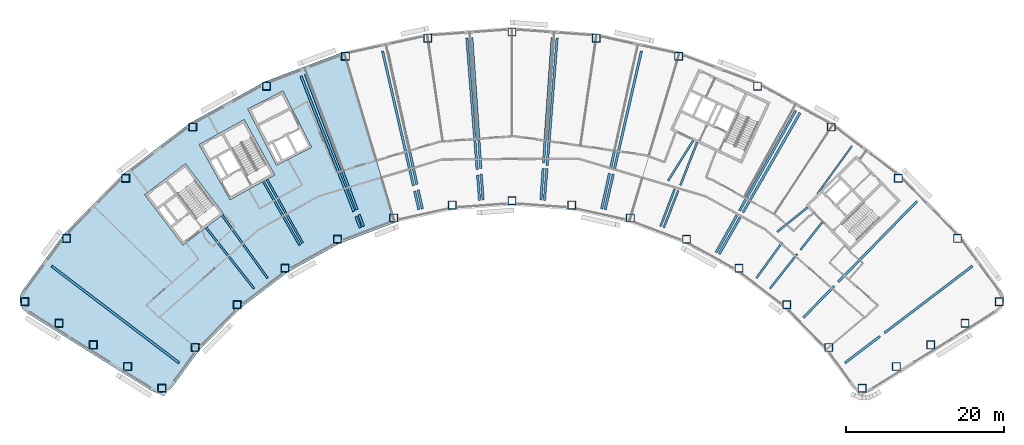
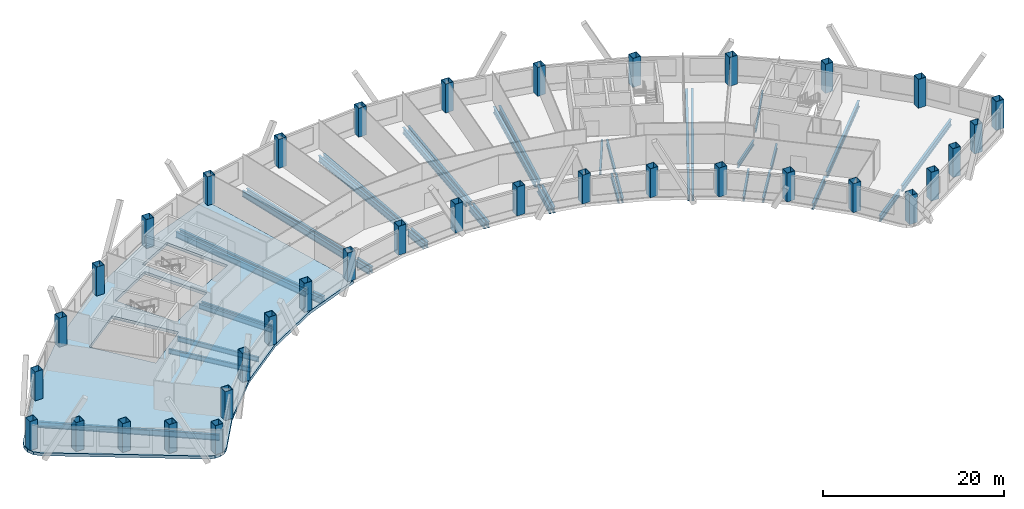
# One storey, part 1 of 11: 42 beams, 36 columns, 1 slab.
"""IFC4 building model written with IfcOpenShell, lengths in metres."""

from ifc_helpers import new_model, si_unit, direction, frame, origin, origin_2d, place, context, subcontext, project, spatial, polyline, hollow_rectangle, i_section, outline, extrude, material, layer, layer_set, material_profile, profile_set, type_object, element, save


model = new_model("IFC4")

# Units and contexts
model_context = context("Model", 3, precision=1e-05, world=origin(), true_north=direction((0.0, 1.0)))
body_context = subcontext(model_context, "Body", "Model", "MODEL_VIEW")
ifc_project = project(units=[si_unit("LENGTHUNIT", "METRE"), si_unit("AREAUNIT", "SQUARE_METRE"), si_unit("VOLUMEUNIT", "CUBIC_METRE"), si_unit("PLANEANGLEUNIT", "RADIAN"), si_unit("MASSUNIT", "GRAM", prefix="KILO")], contexts=[model_context])

# Site, building, storey
site_placement = place(None, origin())
site = spatial("IfcSite", under=ifc_project, at=site_placement, CompositionType="ELEMENT")
building_placement = place(site_placement, origin())
building = spatial("IfcBuilding", under=site, at=building_placement, Name="Tuul Gate Civic Tower", CompositionType="ELEMENT")
storey_placement = place(building_placement, frame((0.0, 0.0, 138.199951171875)))
storey = spatial("IfcBuildingStorey", under=building, at=storey_placement, Name="Level 31", CompositionType="ELEMENT", Elevation=138.199951171875)

# Columns
ifc_material_1 = material(Name="Steel S355", Category="steel")
ifc_material_profile_1 = material_profile(ifc_material_1, hollow_rectangle(XDim=1.0, YDim=1.0, WallThickness=0.0400390625, at=origin_2d()), Name="BOX1000x1000x40")
ifc_profile_set_1 = profile_set([ifc_material_profile_1], Name="Steel S355")
column_type = type_object("IfcColumnType", Name="STR-COLUMN-BOX1000x1000x40", PredefinedType="COLUMN", material=ifc_profile_set_1)
for number, where, z_axis, x_axis, name in (
    (1, (67.044921875, -24.89697265625, 0.0), (0.0, 0.0, 1.0), (1.0, 0.0, 0.0), "Column"),
    (2, (61.74609375, -16.884033203125, 0.0), (0.0, 0.0, 1.0), (1.0, 0.0, 0.0), "Column"),
    (3, (54.27197265625, -9.259033203125, 0.0), (0.0, 0.0, 1.0), (1.0, 0.0, 0.0), "Column"),
    (4, (45.77587890625, -2.791015625, 0.0), (0.0, 0.0, 1.0), (1.0, 0.0, 0.0), "Column"),
    (5, (36.43798828125, 2.385009765625, 0.0), (0.0, 0.0, 1.0), (1.0, 0.0, 0.0), "Column"),
    (6, (26.450927734375, 6.162109375, 0.0), (0.0, 0.0, 1.0), (1.0, 0.0, 0.0), "Column"),
    (7, (16.02294921875, 8.4599609375, 0.0), (0.0, 0.0, 1.0), (1.0, 0.0, 0.0), "Column"),
    (8, (5.3740234375, 9.23193359375, 0.0), (0.0, 0.0, 1.0), (1.0, 0.0, 0.0), "Column"),
    (9, (-5.27490234375, 8.4599609375, 0.0), (0.0, 0.0, 1.0), (1.0, 0.0, 0.0), "Column"),
    (10, (-15.702880859375, 6.162109375, 0.0), (0.0, 0.0, 1.0), (1.0, 0.0, 0.0), "Column"),
    (11, (-25.68994140625, 2.385009765625, 0.0), (0.0, 0.0, 1.0), (1.0, 0.0, 0.0), "Column"),
    (12, (-35.028076171875, -2.791015625, 0.0), (0.0, 0.0, 1.0), (1.0, 0.0, 0.0), "Column"),
    (13, (-43.52392578125, -9.259033203125, 0.0), (0.0, 0.0, 1.0), (1.0, 0.0, 0.0), "Column"),
    (14, (-50.998046875, -16.884033203125, 0.0), (0.0, 0.0, 1.0), (1.0, 0.0, 0.0), "Column"),
    (15, (-56.297119140625, -24.89697265625, 0.0), (0.0, 0.0, 1.0), (1.0, 0.0, 0.0), "Column"),
    (16, (-51.9541015625, -27.631103515625, 0.0), (0.0, 0.0, 1.0), (1.0, 0.0, 0.0), "Column"),
    (17, (-47.612060546875, -30.365966796875, 0.0), (0.0, 0.0, 1.0), (1.0, 0.0, 0.0), "Column"),
    (18, (-43.26904296875, -33.10009765625, 0.0), (0.0, 0.0, 1.0), (1.0, 0.0, 0.0), "Column"),
    (19, (-38.927001953125, -35.8349609375, 0.0), (0.0, 0.0, 1.0), (1.0, 0.0, 0.0), "Column"),
    (20, (-34.70703125, -30.693115234375, 0.0), (0.0, 0.0, 1.0), (1.0, 0.0, 0.0), "Column"),
    (21, (-29.39306640625, -25.27099609375, 0.0), (0.0, 0.0, 1.0), (1.0, 0.0, 0.0), "Column"),
    (22, (-23.35302734375, -20.672119140625, 0.0), (0.0, 0.0, 1.0), (1.0, 0.0, 0.0), "Column"),
    (23, (-16.712890625, -16.991943359375, 0.0), (0.0, 0.0, 1.0), (1.0, 0.0, 0.0), "Column"),
    (24, (-9.612060546875, -14.306884765625, 0.0), (0.0, 0.0, 1.0), (1.0, 0.0, 0.0), "Column"),
    (25, (-2.197998046875, -12.673095703125, 0.0), (0.0, 0.0, 1.0), (1.0, 0.0, 0.0), "Column"),
    (26, (5.3740234375, -12.1240234375, 0.0), (0.0, 0.0, 1.0), (1.0, 0.0, 0.0), "Column"),
    (27, (12.946044921875, -12.673095703125, 0.0), (0.0, 0.0, 1.0), (1.0, 0.0, 0.0), "Column"),
    (28, (20.360107421875, -14.306884765625, 0.0), (0.0, 0.0, 1.0), (1.0, 0.0, 0.0), "Column"),
    (29, (27.4609375, -16.991943359375, 0.0), (0.0, 0.0, 1.0), (1.0, 0.0, 0.0), "Column"),
    (30, (34.10107421875, -20.672119140625, 0.0), (0.0, 0.0, 1.0), (1.0, 0.0, 0.0), "Column"),
    (31, (40.14111328125, -25.27099609375, 0.0), (0.0, 0.0, 1.0), (1.0, 0.0, 0.0), "Column"),
    (32, (45.455078125, -30.693115234375, 0.0), (0.0, 0.0, 1.0), (1.0, 0.0, 0.0), "Column"),
    (33, (49.675048828125, -35.8349609375, 0.0), (0.0, 0.0, 1.0), (1.0, 0.0, 0.0), "Column"),
    (34, (54.01708984375, -33.10009765625, 0.0), (0.0, 0.0, 1.0), (1.0, 0.0, 0.0), "Column"),
    (35, (58.360107421875, -30.365966796875, 0.0), (0.0, 0.0, 1.0), (1.0, 0.0, 0.0), "Column"),
    (36, (62.701904296875, -27.631103515625, 0.0), (0.0, 0.0, 1.0), (1.0, 0.0, 0.0), "Column"),
):
    element("IfcColumn", number, at=place(storey_placement, frame(where, z_axis=z_axis, x_axis=x_axis)), inside=storey, type_object=column_type, Name=name, PredefinedType="COLUMN", context=body_context, shape_type="SweptSolid", body=[
        extrude(hollow_rectangle(XDim=1.0, YDim=1.0, WallThickness=0.0400390625, at=origin_2d()), origin(), (0.0, 0.0, 1.0), 3.900146484375),
    ])

# Beams
ifc_material_2 = material(Name="Steel S355", Category="steel")
ifc_material_profile_2 = material_profile(ifc_material_2, i_section(OverallWidth=0.199951171875, OverallDepth=0.5, WebThickness=0.010009765625, FlangeThickness=0.01611328125, at=origin_2d()), Name="PG500x200x10x16")
ifc_profile_set_2 = profile_set([ifc_material_profile_2], Name="Steel S355")
beam_type_1 = type_object("IfcBeamType", Name="STR-FLOOR BEAM-PG500x200x10x16", PredefinedType="BEAM", material=ifc_profile_set_2)
beam_1_placement = place(storey_placement, frame((43.999267578125, -11.26806640625, -0.64990234375), z_axis=(0.586064118466, 0.81026467839, 0.0), x_axis=(-0.81026467839, 0.586064118466, 0.0)))
element("IfcBeam", 37, at=beam_1_placement, inside=storey, type_object=beam_type_1, Name="Floor beam", PredefinedType="BEAM", context=body_context, shape_type="SweptSolid", body=[
    extrude(i_section(OverallWidth=0.199951171875, OverallDepth=0.5, WebThickness=0.010009765625, FlangeThickness=0.01611328125, at=origin_2d()), origin(), (0.0, 0.0, 1.0), 7.473388671875),
])
ifc_material_3 = material(Name="Steel S355", Category="steel")
ifc_material_profile_3 = material_profile(ifc_material_3, i_section(OverallWidth=0.25, OverallDepth=0.64990234375, WebThickness=0.011962890625, FlangeThickness=0.02001953125, at=origin_2d()), Name="PG650x250x12x20")
ifc_profile_set_3 = profile_set([ifc_material_profile_3], Name="Steel S355")
beam_type_2 = type_object("IfcBeamType", Name="STR-FLOOR BEAM-PG650x250x12x20", PredefinedType="BEAM", material=ifc_profile_set_3)
beam_2_placement = place(storey_placement, frame((38.02734375, -23.2216796875, -0.724853515625), z_axis=(0.618871403105, 0.785492321044, 0.0), x_axis=(-0.785492321044, 0.618871403105, 0.0)))
element("IfcBeam", 38, at=beam_2_placement, inside=storey, type_object=beam_type_2, Name="Floor beam", PredefinedType="BEAM", context=body_context, shape_type="SweptSolid", body=[
    extrude(i_section(OverallWidth=0.25, OverallDepth=0.64990234375, WebThickness=0.011962890625, FlangeThickness=0.02001953125, at=origin_2d()), origin(), (0.0, 0.0, 1.0), 5.54296875),
])
beam_3_placement = place(storey_placement, frame((41.89111328125, -18.31787109375, -0.724853515625), z_axis=(0.618854599322, 0.785505560068, 0.0), x_axis=(-0.785505560068, 0.618854599322, 0.0)))
element("IfcBeam", 39, at=beam_3_placement, inside=storey, type_object=beam_type_2, Name="Floor beam", PredefinedType="BEAM", context=body_context, shape_type="SweptSolid", body=[
    extrude(i_section(OverallWidth=0.25, OverallDepth=0.64990234375, WebThickness=0.011962890625, FlangeThickness=0.02001953125, at=origin_2d()), origin(), (0.0, 0.0, 1.0), 4.40234375),
])
beam_4_placement = place(storey_placement, frame((36.302734375, -21.908447265625, -0.724853515625), z_axis=(0.586085339199, 0.810249329019, 0.0), x_axis=(-0.810249329019, 0.586085339199, 0.0)))
element("IfcBeam", 40, at=beam_4_placement, inside=storey, type_object=beam_type_2, Name="Floor beam", PredefinedType="BEAM", context=body_context, shape_type="SweptSolid", body=[
    extrude(i_section(OverallWidth=0.25, OverallDepth=0.64990234375, WebThickness=0.011962890625, FlangeThickness=0.02001953125, at=origin_2d()), origin(), (0.0, 0.0, 1.0), 5.543701171875),
])
beam_5_placement = place(storey_placement, frame((38.926025390625, -16.060546875, -0.724853515625), z_axis=(0.779324431857, 0.626620642742, 0.0), x_axis=(-0.626620642742, 0.779324431857, 0.0)))
element("IfcBeam", 41, at=beam_5_placement, inside=storey, type_object=beam_type_2, Name="Floor beam", PredefinedType="BEAM", context=body_context, shape_type="SweptSolid", body=[
    extrude(i_section(OverallWidth=0.25, OverallDepth=0.64990234375, WebThickness=0.011962890625, FlangeThickness=0.02001953125, at=origin_2d()), origin(), (0.0, 0.0, 1.0), 4.927490234375),
])
beam_6_placement = place(storey_placement, frame((24.58056640625, -15.52880859375, -0.724853515625), z_axis=(0.364050684515, 0.931379138216, 0.0), x_axis=(-0.931379138216, 0.364050684515, 0.0)))
element("IfcBeam", 42, at=beam_6_placement, inside=storey, type_object=beam_type_2, Name="Floor beam", PredefinedType="BEAM", context=body_context, shape_type="SweptSolid", body=[
    extrude(i_section(OverallWidth=0.25, OverallDepth=0.64990234375, WebThickness=0.011962890625, FlangeThickness=0.02001953125, at=origin_2d()), origin(), (0.0, 0.0, 1.0), 5.04296875),
])
beam_7_placement = place(storey_placement, frame((26.67138671875, -10.179931640625, -0.724853515625), z_axis=(0.364060292191, 0.93137538278, 0.0), x_axis=(-0.93137538278, 0.364060292191, 0.0)))
element("IfcBeam", 43, at=beam_7_placement, inside=storey, type_object=beam_type_2, Name="Floor beam", PredefinedType="BEAM", context=body_context, shape_type="SweptSolid", body=[
    extrude(i_section(OverallWidth=0.25, OverallDepth=0.64990234375, WebThickness=0.011962890625, FlangeThickness=0.02001953125, at=origin_2d()), origin(), (0.0, 0.0, 1.0), 5.837646484375),
])
beam_8_placement = place(storey_placement, frame((24.161376953125, -15.3701171875, -0.724853515625), z_axis=(0.3561060607, 0.934445543374, 0.0), x_axis=(-0.934445543374, 0.3561060607, 0.0)))
element("IfcBeam", 44, at=beam_8_placement, inside=storey, type_object=beam_type_2, Name="Floor beam", PredefinedType="BEAM", context=body_context, shape_type="SweptSolid", body=[
    extrude(i_section(OverallWidth=0.25, OverallDepth=0.64990234375, WebThickness=0.011962890625, FlangeThickness=0.02001953125, at=origin_2d()), origin(), (0.0, 0.0, 1.0), 5.04248046875),
])
beam_9_placement = place(storey_placement, frame((25.1259765625, -9.595458984375, -0.724853515625), z_axis=(0.529541178126, 0.84828423342, 0.0), x_axis=(-0.84828423342, 0.529541178126, 0.0)))
element("IfcBeam", 45, at=beam_9_placement, inside=storey, type_object=beam_type_2, Name="Floor beam", PredefinedType="BEAM", context=body_context, shape_type="SweptSolid", body=[
    extrude(i_section(OverallWidth=0.25, OverallDepth=0.64990234375, WebThickness=0.011962890625, FlangeThickness=0.02001953125, at=origin_2d()), origin(), (0.0, 0.0, 1.0), 5.99365234375),
])
beam_10_placement = place(storey_placement, frame((-21.117431640625, -17.468017578125, -0.724853515625), z_axis=(-0.48946009536, 0.872025696324, 0.0), x_axis=(-0.872025696324, -0.48946009536, 0.0)))
element("IfcBeam", 46, at=beam_10_placement, inside=storey, type_object=beam_type_2, Name="Floor beam", PredefinedType="BEAM", context=body_context, shape_type="SweptSolid", body=[
    extrude(i_section(OverallWidth=0.25, OverallDepth=0.64990234375, WebThickness=0.011962890625, FlangeThickness=0.02001953125, at=origin_2d()), origin(), (0.0, 0.0, 1.0), 9.24755859375),
])
beam_11_placement = place(storey_placement, frame((-21.486572265625, -17.7490234375, -0.724853515625), z_axis=(-0.496847227207, 0.867838022223, 0.0), x_axis=(-0.867838022223, -0.496847227207, 0.0)))
element("IfcBeam", 47, at=beam_11_placement, inside=storey, type_object=beam_type_2, Name="Floor beam", PredefinedType="BEAM", context=body_context, shape_type="SweptSolid", body=[
    extrude(i_section(OverallWidth=0.25, OverallDepth=0.64990234375, WebThickness=0.011962890625, FlangeThickness=0.02001953125, at=origin_2d()), origin(), (0.0, 0.0, 1.0), 9.315185546875),
])
beam_12_placement = place(storey_placement, frame((-25.5546875, -21.908447265625, -0.724853515625), z_axis=(-0.586078472443, 0.810254295971, 0.0), x_axis=(-0.810254295971, -0.586078472443, 0.0)))
element("IfcBeam", 48, at=beam_12_placement, inside=storey, type_object=beam_type_2, Name="Floor beam", PredefinedType="BEAM", context=body_context, shape_type="SweptSolid", body=[
    extrude(i_section(OverallWidth=0.25, OverallDepth=0.64990234375, WebThickness=0.011962890625, FlangeThickness=0.02001953125, at=origin_2d()), origin(), (0.0, 0.0, 1.0), 9.822265625),
])
beam_13_placement = place(storey_placement, frame((-27.279296875, -23.2216796875, -0.724853515625), z_axis=(-0.618878268933, 0.785486911567, 0.0), x_axis=(-0.785486911567, -0.618878268933, 0.0)))
element("IfcBeam", 49, at=beam_13_placement, inside=storey, type_object=beam_type_2, Name="Floor beam", PredefinedType="BEAM", context=body_context, shape_type="SweptSolid", body=[
    extrude(i_section(OverallWidth=0.25, OverallDepth=0.64990234375, WebThickness=0.011962890625, FlangeThickness=0.02001953125, at=origin_2d()), origin(), (0.0, 0.0, 1.0), 9.82080078125),
])
ifc_material_4 = material(Name="Steel S355", Category="steel")
ifc_material_profile_4 = material_profile(ifc_material_4, i_section(OverallWidth=0.300048828125, OverallDepth=0.800048828125, WebThickness=0.013916015625, FlangeThickness=0.02490234375, at=origin_2d()), Name="PG800x300x14x25")
ifc_profile_set_4 = profile_set([ifc_material_profile_4], Name="Steel S355")
beam_type_3 = type_object("IfcBeamType", Name="STR-FLOOR BEAM-PG800x300x14x25", PredefinedType="BEAM", material=ifc_profile_set_4)
beam_14_placement = place(storey_placement, frame((47.508544921875, -32.643310546875, -0.800048828125), z_axis=(0.796136027981, 0.605117695123, 0.0), x_axis=(-0.605117695123, 0.796136027981, 0.0)))
element("IfcBeam", 50, at=beam_14_placement, inside=storey, type_object=beam_type_3, Name="Floor beam", PredefinedType="BEAM", context=body_context, shape_type="SweptSolid", body=[
    extrude(i_section(OverallWidth=0.300048828125, OverallDepth=0.800048828125, WebThickness=0.013916015625, FlangeThickness=0.02490234375, at=origin_2d()), origin(), (0.0, 0.0, 1.0), 5.57373046875),
])
beam_15_placement = place(storey_placement, frame((52.503662109375, -28.8466796875, -0.800048828125), z_axis=(0.79615714912, 0.605089905638, 0.0), x_axis=(-0.605089905638, 0.79615714912, 0.0)))
element("IfcBeam", 51, at=beam_15_placement, inside=storey, type_object=beam_type_3, Name="Floor beam", PredefinedType="BEAM", context=body_context, shape_type="SweptSolid", body=[
    extrude(i_section(OverallWidth=0.300048828125, OverallDepth=0.800048828125, WebThickness=0.013916015625, FlangeThickness=0.02490234375, at=origin_2d()), origin(), (0.0, 0.0, 1.0), 13.98779296875),
])
beam_16_placement = place(storey_placement, frame((42.242431640625, -26.9150390625, -0.800048828125), z_axis=(0.698709952289, 0.715405061886, 0.0), x_axis=(-0.715405061886, 0.698709952289, 0.0)))
element("IfcBeam", 52, at=beam_16_placement, inside=storey, type_object=beam_type_3, Name="Floor beam", PredefinedType="BEAM", context=body_context, shape_type="SweptSolid", body=[
    extrude(i_section(OverallWidth=0.300048828125, OverallDepth=0.800048828125, WebThickness=0.013916015625, FlangeThickness=0.02490234375, at=origin_2d()), origin(), (0.0, 0.0, 1.0), 5.600830078125),
])
beam_17_placement = place(storey_placement, frame((46.644775390625, -22.4072265625, -0.800048828125), z_axis=(0.698694020499, 0.715420621536, 0.0), x_axis=(-0.715420621536, 0.698694020499, 0.0)))
element("IfcBeam", 53, at=beam_17_placement, inside=storey, type_object=beam_type_3, Name="Floor beam", PredefinedType="BEAM", context=body_context, shape_type="SweptSolid", body=[
    extrude(i_section(OverallWidth=0.300048828125, OverallDepth=0.800048828125, WebThickness=0.013916015625, FlangeThickness=0.02490234375, at=origin_2d()), origin(), (0.0, 0.0, 1.0), 14.303955078125),
])
beam_18_placement = place(storey_placement, frame((31.587646484375, -18.87890625, -0.800048828125), z_axis=(0.49686530305, 0.867827673346, 0.0), x_axis=(-0.867827673346, 0.49686530305, 0.0)))
element("IfcBeam", 54, at=beam_18_placement, inside=storey, type_object=beam_type_3, Name="Floor beam", PredefinedType="BEAM", context=body_context, shape_type="SweptSolid", body=[
    extrude(i_section(OverallWidth=0.300048828125, OverallDepth=0.800048828125, WebThickness=0.013916015625, FlangeThickness=0.02490234375, at=origin_2d()), origin(), (0.0, 0.0, 1.0), 5.35595703125),
])
beam_19_placement = place(storey_placement, frame((34.5966796875, -13.623291015625, -0.800048828125), z_axis=(0.49684554129, 0.867838987428, 0.0), x_axis=(-0.867838987428, 0.49684554129, 0.0)))
element("IfcBeam", 55, at=beam_19_placement, inside=storey, type_object=beam_type_3, Name="Floor beam", PredefinedType="BEAM", context=body_context, shape_type="SweptSolid", body=[
    extrude(i_section(OverallWidth=0.300048828125, OverallDepth=0.800048828125, WebThickness=0.013916015625, FlangeThickness=0.02490234375, at=origin_2d()), origin(), (0.0, 0.0, 1.0), 14.54541015625),
])
beam_20_placement = place(storey_placement, frame((31.195556640625, -18.66162109375, -0.800048828125), z_axis=(0.489462390566, 0.872024408042, 0.0), x_axis=(-0.872024408042, 0.489462390566, 0.0)))
element("IfcBeam", 56, at=beam_20_placement, inside=storey, type_object=beam_type_3, Name="Floor beam", PredefinedType="BEAM", context=body_context, shape_type="SweptSolid", body=[
    extrude(i_section(OverallWidth=0.300048828125, OverallDepth=0.800048828125, WebThickness=0.013916015625, FlangeThickness=0.02490234375, at=origin_2d()), origin(), (0.0, 0.0, 1.0), 5.35546875),
])
beam_21_placement = place(storey_placement, frame((34.159423828125, -13.381103515625, -0.800048828125), z_axis=(0.489446530413, 0.872033310067, 0.0), x_axis=(-0.872033310067, 0.489446530413, 0.0)))
element("IfcBeam", 57, at=beam_21_placement, inside=storey, type_object=beam_type_3, Name="Floor beam", PredefinedType="BEAM", context=body_context, shape_type="SweptSolid", body=[
    extrude(i_section(OverallWidth=0.300048828125, OverallDepth=0.800048828125, WebThickness=0.013916015625, FlangeThickness=0.02490234375, at=origin_2d()), origin(), (0.0, 0.0, 1.0), 14.544189453125),
])
beam_22_placement = place(storey_placement, frame((17.158203125, -13.242919921875, -0.800048828125), z_axis=(0.223346802473, 0.974739044988, 0.0), x_axis=(-0.974739044988, 0.223346802473, 0.0)))
element("IfcBeam", 58, at=beam_22_placement, inside=storey, type_object=beam_type_3, Name="Floor beam", PredefinedType="BEAM", context=body_context, shape_type="SweptSolid", body=[
    extrude(i_section(OverallWidth=0.300048828125, OverallDepth=0.800048828125, WebThickness=0.013916015625, FlangeThickness=0.02490234375, at=origin_2d()), origin(), (0.0, 0.0, 1.0), 4.609619140625),
])
beam_23_placement = place(storey_placement, frame((18.343994140625, -8.0673828125, -0.800048828125), z_axis=(0.223366675378, 0.974734491198, 0.0), x_axis=(-0.974734491198, 0.223366675378, 0.0)))
element("IfcBeam", 59, at=beam_23_placement, inside=storey, type_object=beam_type_3, Name="Floor beam", PredefinedType="BEAM", context=body_context, shape_type="SweptSolid", body=[
    extrude(i_section(OverallWidth=0.300048828125, OverallDepth=0.800048828125, WebThickness=0.013916015625, FlangeThickness=0.02490234375, at=origin_2d()), origin(), (0.0, 0.0, 1.0), 15.291015625),
])
beam_24_placement = place(storey_placement, frame((16.72021484375, -13.146484375, -0.800048828125), z_axis=(0.215085068734, 0.976595317011, 0.0), x_axis=(-0.976595317011, 0.215085068734, 0.0)))
element("IfcBeam", 60, at=beam_24_placement, inside=storey, type_object=beam_type_3, Name="Floor beam", PredefinedType="BEAM", context=body_context, shape_type="SweptSolid", body=[
    extrude(i_section(OverallWidth=0.300048828125, OverallDepth=0.800048828125, WebThickness=0.013916015625, FlangeThickness=0.02490234375, at=origin_2d()), origin(), (0.0, 0.0, 1.0), 4.609619140625),
])
beam_25_placement = place(storey_placement, frame((17.8623046875, -7.961181640625, -0.800048828125), z_axis=(0.215070422131, 0.976598542659, 0.0), x_axis=(-0.976598542659, 0.215070422131, 0.0)))
element("IfcBeam", 61, at=beam_25_placement, inside=storey, type_object=beam_type_3, Name="Floor beam", PredefinedType="BEAM", context=body_context, shape_type="SweptSolid", body=[
    extrude(i_section(OverallWidth=0.300048828125, OverallDepth=0.800048828125, WebThickness=0.013916015625, FlangeThickness=0.02490234375, at=origin_2d()), origin(), (0.0, 0.0, 1.0), 15.290771484375),
])
beam_26_placement = place(storey_placement, frame((9.480712890625, -12.07080078125, -0.800048828125), z_axis=(0.077854988753, 0.996964693821, 0.0), x_axis=(-0.996964693821, 0.077854988753, 0.0)))
element("IfcBeam", 62, at=beam_26_placement, inside=storey, type_object=beam_type_3, Name="Floor beam", PredefinedType="BEAM", context=body_context, shape_type="SweptSolid", body=[
    extrude(i_section(OverallWidth=0.300048828125, OverallDepth=0.800048828125, WebThickness=0.013916015625, FlangeThickness=0.02490234375, at=origin_2d()), origin(), (0.0, 0.0, 1.0), 4.060791015625),
])
beam_27_placement = place(storey_placement, frame((9.82666015625, -7.63818359375, -0.800048828125), z_axis=(0.077847531906, 0.996965276114, 0.0), x_axis=(-0.996965276114, 0.077847531906, 0.0)))
element("IfcBeam", 63, at=beam_27_placement, inside=storey, type_object=beam_type_3, Name="Floor beam", PredefinedType="BEAM", context=body_context, shape_type="SweptSolid", body=[
    extrude(i_section(OverallWidth=0.300048828125, OverallDepth=0.800048828125, WebThickness=0.013916015625, FlangeThickness=0.02490234375, at=origin_2d()), origin(), (0.0, 0.0, 1.0), 16.154296875),
])
beam_28_placement = place(storey_placement, frame((9.033447265625, -12.038330078125, -0.800048828125), z_axis=(0.069381617767, 0.997590191971, 0.0), x_axis=(-0.997590191971, 0.069381617767, 0.0)))
element("IfcBeam", 64, at=beam_28_placement, inside=storey, type_object=beam_type_3, Name="Floor beam", PredefinedType="BEAM", context=body_context, shape_type="SweptSolid", body=[
    extrude(i_section(OverallWidth=0.300048828125, OverallDepth=0.800048828125, WebThickness=0.013916015625, FlangeThickness=0.02490234375, at=origin_2d()), origin(), (0.0, 0.0, 1.0), 3.990234375),
])
beam_29_placement = place(storey_placement, frame((9.359375, -7.35205078125, -0.800048828125), z_axis=(0.069376909162, 0.997590519439, 0.0), x_axis=(-0.997590519439, 0.069376909162, 0.0)))
element("IfcBeam", 65, at=beam_29_placement, inside=storey, type_object=beam_type_3, Name="Floor beam", PredefinedType="BEAM", context=body_context, shape_type="SweptSolid", body=[
    extrude(i_section(OverallWidth=0.300048828125, OverallDepth=0.800048828125, WebThickness=0.013916015625, FlangeThickness=0.02490234375, at=origin_2d()), origin(), (0.0, 0.0, 1.0), 15.902587890625),
])
beam_30_placement = place(storey_placement, frame((1.71435546875, -12.038330078125, -0.800048828125), z_axis=(-0.069322593791, 0.997594295287, 0.0), x_axis=(-0.997594295287, -0.069322593791, 0.0)))
element("IfcBeam", 66, at=beam_30_placement, inside=storey, type_object=beam_type_3, Name="Floor beam", PredefinedType="BEAM", context=body_context, shape_type="SweptSolid", body=[
    extrude(i_section(OverallWidth=0.300048828125, OverallDepth=0.800048828125, WebThickness=0.013916015625, FlangeThickness=0.02490234375, at=origin_2d()), origin(), (0.0, 0.0, 1.0), 3.300048828125),
])
beam_31_placement = place(storey_placement, frame((1.4365234375, -8.04052734375, -0.800048828125), z_axis=(-0.069375219076, 0.997590636974, 0.0), x_axis=(-0.997590636974, -0.069375219076, 0.0)))
element("IfcBeam", 67, at=beam_31_placement, inside=storey, type_object=beam_type_3, Name="Floor beam", PredefinedType="BEAM", context=body_context, shape_type="SweptSolid", body=[
    extrude(i_section(OverallWidth=0.300048828125, OverallDepth=0.800048828125, WebThickness=0.013916015625, FlangeThickness=0.02490234375, at=origin_2d()), origin(), (0.0, 0.0, 1.0), 16.5927734375),
])
beam_32_placement = place(storey_placement, frame((1.267333984375, -12.07080078125, -0.800048828125), z_axis=(-0.077834855894, 0.996966265832, 0.0), x_axis=(-0.996966265832, -0.077834855894, 0.0)))
element("IfcBeam", 68, at=beam_32_placement, inside=storey, type_object=beam_type_3, Name="Floor beam", PredefinedType="BEAM", context=body_context, shape_type="SweptSolid", body=[
    extrude(i_section(OverallWidth=0.300048828125, OverallDepth=0.800048828125, WebThickness=0.013916015625, FlangeThickness=0.02490234375, at=origin_2d()), origin(), (0.0, 0.0, 1.0), 3.230712890625),
])
beam_33_placement = place(storey_placement, frame((0.9609375, -8.145263671875, -0.800048828125), z_axis=(-0.077844888727, 0.996965482501, 0.0), x_axis=(-0.996965482501, -0.077844888727, 0.0)))
element("IfcBeam", 69, at=beam_33_placement, inside=storey, type_object=beam_type_3, Name="Floor beam", PredefinedType="BEAM", context=body_context, shape_type="SweptSolid", body=[
    extrude(i_section(OverallWidth=0.300048828125, OverallDepth=0.800048828125, WebThickness=0.013916015625, FlangeThickness=0.02490234375, at=origin_2d()), origin(), (0.0, 0.0, 1.0), 16.662841796875),
])
beam_34_placement = place(storey_placement, frame((-5.97216796875, -13.146484375, -0.800048828125), z_axis=(-0.21517113745, 0.976576357285, 0.0), x_axis=(-0.976576357285, -0.21517113745, 0.0)))
element("IfcBeam", 70, at=beam_34_placement, inside=storey, type_object=beam_type_3, Name="Floor beam", PredefinedType="BEAM", context=body_context, shape_type="SweptSolid", body=[
    extrude(i_section(OverallWidth=0.300048828125, OverallDepth=0.800048828125, WebThickness=0.013916015625, FlangeThickness=0.02490234375, at=origin_2d()), origin(), (0.0, 0.0, 1.0), 2.468994140625),
])
beam_35_placement = place(storey_placement, frame((-6.655517578125, -10.04443359375, -0.800048828125), z_axis=(-0.215068133481, 0.976599046672, 0.0), x_axis=(-0.976599046672, -0.215068133481, 0.0)))
element("IfcBeam", 71, at=beam_35_placement, inside=storey, type_object=beam_type_3, Name="Floor beam", PredefinedType="BEAM", context=body_context, shape_type="SweptSolid", body=[
    extrude(i_section(OverallWidth=0.300048828125, OverallDepth=0.800048828125, WebThickness=0.013916015625, FlangeThickness=0.02490234375, at=origin_2d()), origin(), (0.0, 0.0, 1.0), 17.423828125),
])
beam_36_placement = place(storey_placement, frame((-6.41015625, -13.242919921875, -0.800048828125), z_axis=(-0.22332180692, 0.974744772007, 0.0), x_axis=(-0.974744772007, -0.22332180692, 0.0)))
element("IfcBeam", 72, at=beam_36_placement, inside=storey, type_object=beam_type_3, Name="Floor beam", PredefinedType="BEAM", context=body_context, shape_type="SweptSolid", body=[
    extrude(i_section(OverallWidth=0.300048828125, OverallDepth=0.800048828125, WebThickness=0.013916015625, FlangeThickness=0.02490234375, at=origin_2d()), origin(), (0.0, 0.0, 1.0), 2.400634765625),
])
beam_37_placement = place(storey_placement, frame((-7.104248046875, -10.214111328125, -0.800048828125), z_axis=(-0.223367040267, 0.974734407581, 0.0), x_axis=(-0.974734407581, -0.223367040267, 0.0)))
element("IfcBeam", 73, at=beam_37_placement, inside=storey, type_object=beam_type_3, Name="Floor beam", PredefinedType="BEAM", context=body_context, shape_type="SweptSolid", body=[
    extrude(i_section(OverallWidth=0.300048828125, OverallDepth=0.800048828125, WebThickness=0.013916015625, FlangeThickness=0.02490234375, at=origin_2d()), origin(), (0.0, 0.0, 1.0), 17.493408203125),
])
beam_38_placement = place(storey_placement, frame((-13.413330078125, -15.3701171875, -0.800048828125), z_axis=(-0.356136367643, 0.934433993197, 0.0), x_axis=(-0.934433993197, -0.356136367643, 0.0)))
element("IfcBeam", 74, at=beam_38_placement, inside=storey, type_object=beam_type_3, Name="Floor beam", PredefinedType="BEAM", context=body_context, shape_type="SweptSolid", body=[
    extrude(i_section(OverallWidth=0.300048828125, OverallDepth=0.800048828125, WebThickness=0.013916015625, FlangeThickness=0.02490234375, at=origin_2d()), origin(), (0.0, 0.0, 1.0), 1.58349609375),
])
beam_39_placement = place(storey_placement, frame((-14.22900390625, -13.2294921875, -0.800048828125), z_axis=(-0.356118976944, 0.934440621046, 0.0), x_axis=(-0.934440621046, -0.356118976944, 0.0)))
element("IfcBeam", 75, at=beam_39_placement, inside=storey, type_object=beam_type_3, Name="Floor beam", PredefinedType="BEAM", context=body_context, shape_type="SweptSolid", body=[
    extrude(i_section(OverallWidth=0.300048828125, OverallDepth=0.800048828125, WebThickness=0.013916015625, FlangeThickness=0.02490234375, at=origin_2d()), origin(), (0.0, 0.0, 1.0), 18.309326171875),
])
beam_40_placement = place(storey_placement, frame((-13.832763671875, -15.52880859375, -0.800048828125), z_axis=(-0.363968366963, 0.931411309707, 0.0), x_axis=(-0.931411309707, -0.363968366963, 0.0)))
element("IfcBeam", 76, at=beam_40_placement, inside=storey, type_object=beam_type_3, Name="Floor beam", PredefinedType="BEAM", context=body_context, shape_type="SweptSolid", body=[
    extrude(i_section(OverallWidth=0.300048828125, OverallDepth=0.800048828125, WebThickness=0.013916015625, FlangeThickness=0.02490234375, at=origin_2d()), origin(), (0.0, 0.0, 1.0), 1.5166015625),
])
beam_41_placement = place(storey_placement, frame((-14.641845703125, -13.458251953125, -0.800048828125), z_axis=(-0.364056719195, 0.931376779402, 0.0), x_axis=(-0.931376779402, -0.364056719195, 0.0)))
element("IfcBeam", 77, at=beam_41_placement, inside=storey, type_object=beam_type_3, Name="Floor beam", PredefinedType="BEAM", context=body_context, shape_type="SweptSolid", body=[
    extrude(i_section(OverallWidth=0.300048828125, OverallDepth=0.800048828125, WebThickness=0.013916015625, FlangeThickness=0.02490234375, at=origin_2d()), origin(), (0.0, 0.0, 1.0), 18.378173828125),
])
beam_42_placement = place(storey_placement, frame((-36.760498046875, -32.643310546875, -0.800048828125), z_axis=(-0.796150584711, 0.605098542771, 0.0), x_axis=(-0.605098542771, -0.796150584711, 0.0)))
element("IfcBeam", 78, at=beam_42_placement, inside=storey, type_object=beam_type_3, Name="Floor beam", PredefinedType="BEAM", context=body_context, shape_type="SweptSolid", body=[
    extrude(i_section(OverallWidth=0.300048828125, OverallDepth=0.800048828125, WebThickness=0.013916015625, FlangeThickness=0.02490234375, at=origin_2d()), origin(), (0.0, 0.0, 1.0), 20.261962890625),
])

# Slab
ifc_material_5 = material(Name="Concrete C35/45", Category="concrete")
ifc_layer = layer(ifc_material_5, 0.39990234375)
ifc_layer_set = layer_set([ifc_layer], Name="Concrete C35/45")
slab_type = type_object("IfcSlabType", Name="STR-FLOOR-SLAB-400", PredefinedType="FLOOR", material=ifc_layer_set)
slab_placement = place(storey_placement, frame((0.0, 0.0, -0.400146484375)))
element("IfcSlab", 79, at=slab_placement, inside=storey, type_object=slab_type, Name="Level 31/slab/W", PredefinedType="FLOOR", context=body_context, shape_type="SweptSolid", body=[
    extrude(outline(polyline([(-16.4599609375, -17.5380859375), (-9.43994140625, -14.883056640625), (-15.8740234375, 6.739013671875), (-25.943115234375, 2.930908203125), (-35.35693359375, -2.287109375), (-43.922119140625, -8.80810546875), (-51.45703125, -16.4951171875), (-56.537109375, -23.451904296875), (-56.8740234375, -24.195068359375), (-56.885986328125, -25.010009765625), (-56.571044921875, -25.762939453125), (-55.98193359375, -26.326904296875), (-40.251953125, -36.156005859375), (-39.55810546875, -36.427001953125), (-38.81298828125, -36.424072265625), (-38.12109375, -36.14892578125), (-37.576904296875, -35.639892578125), (-34.248046875, -31.08203125), (-28.9951171875, -25.721923828125), (-23.02392578125, -21.176025390625), (-16.4599609375, -17.5380859375)]), holes=[polyline([(-31.10009765625, -13.7890625), (-36.27197265625, -17.72705078125), (-41.117919921875, -11.362060546875), (-35.946044921875, -7.424072265625), (-31.10009765625, -13.7890625)]), polyline([(-24.638916015625, -8.846923828125), (-30.323974609375, -11.998046875), (-34.201904296875, -5.0009765625), (-28.51708984375, -1.85009765625), (-24.638916015625, -8.846923828125)]), polyline([(-24.43603515625, -7.635986328125), (-28.068115234375, -0.508056640625), (-23.613037109375, 1.761962890625), (-19.98095703125, -5.365966796875), (-24.43603515625, -7.635986328125)])]), origin(), (0.0, 0.0, 1.0), 0.400146484375),
])

save(model, "model.ifc")
